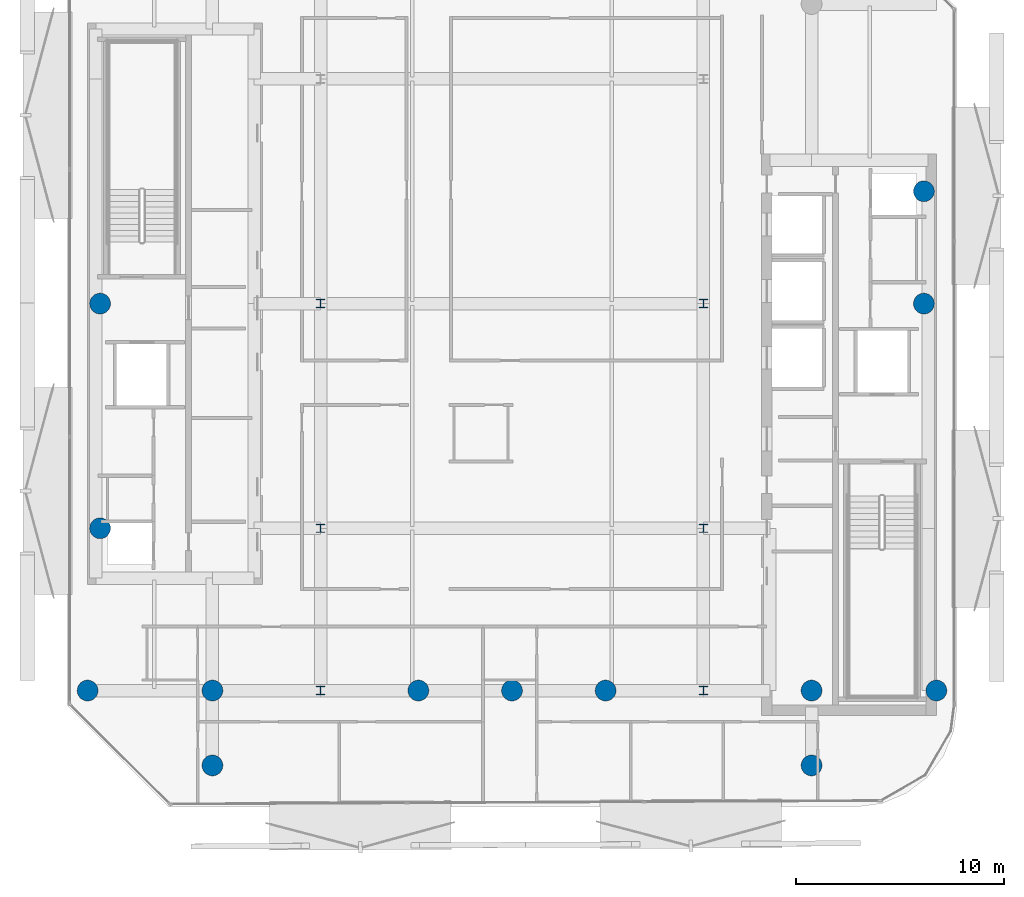
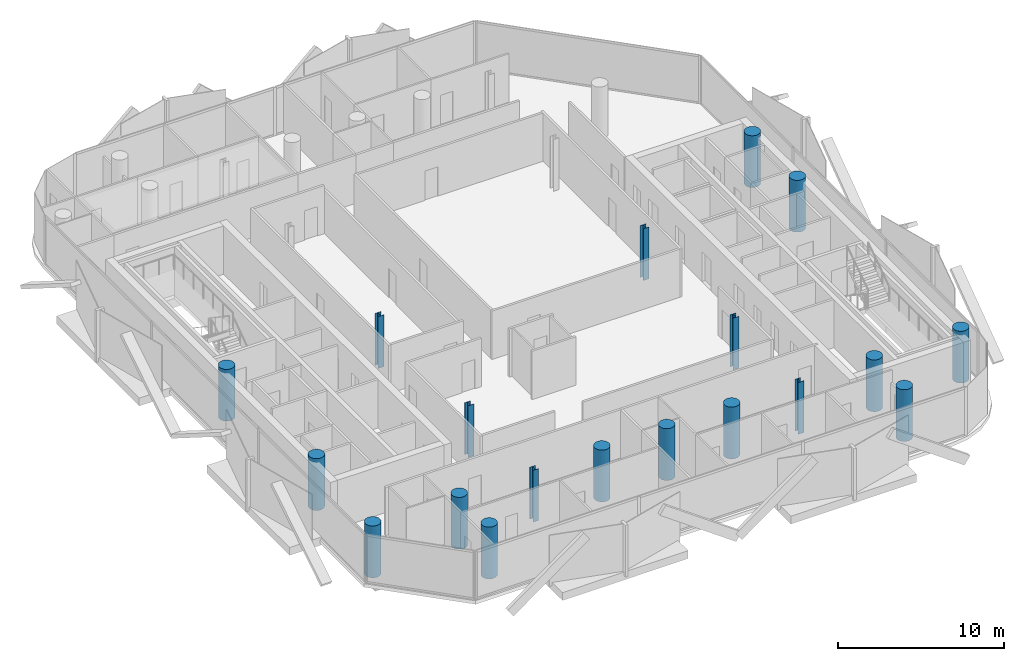
# One storey, part 1 of 16: 19 columns.
"""IFC4 building model written with IfcOpenShell, lengths in metres."""

from ifc_helpers import new_model, si_unit, direction, frame, origin, origin_2d, place, context, subcontext, project, spatial, circle, i_section, extrude, material, material_profile, profile_set, type_object, element, save


model = new_model("IFC4")

# Units and contexts
model_context = context("Model", 3, precision=1e-05, world=origin(), true_north=direction((0.0, 1.0)))
body_context = subcontext(model_context, "Body", "Model", "MODEL_VIEW")
ifc_project = project(units=[si_unit("LENGTHUNIT", "METRE"), si_unit("AREAUNIT", "SQUARE_METRE"), si_unit("VOLUMEUNIT", "CUBIC_METRE"), si_unit("PLANEANGLEUNIT", "RADIAN"), si_unit("MASSUNIT", "GRAM", prefix="KILO")], contexts=[model_context])

# Site, building, storey
site_placement = place(None, origin())
site = spatial("IfcSite", under=ifc_project, at=site_placement, CompositionType="ELEMENT")
building_placement = place(site_placement, origin())
building = spatial("IfcBuilding", under=site, at=building_placement, Name="Khairoan Windgate Tower", CompositionType="ELEMENT")
storey_placement = place(building_placement, frame((0.0, 0.0, 277.60009765625)))
storey = spatial("IfcBuildingStorey", under=building, at=storey_placement, Name="L66", CompositionType="ELEMENT", Elevation=277.60009765625)

# Columns
ifc_material_1 = material(Name="Concrete C60/75", Category="concrete")
ifc_material_profile_1 = material_profile(ifc_material_1, circle(Radius=0.5, at=origin_2d()))
ifc_profile_set_1 = profile_set([ifc_material_profile_1], Name="Concrete C60/75")
column_type_1 = type_object("IfcColumnType", Name="Column C-P1 RC-D1000", PredefinedType="COLUMN", material=ifc_profile_set_1)
for number, where, z_axis, x_axis, name in (
    (1, (-20.39990234375, -18.60009765625, 0.0), (0.0, 0.0, 1.0), (1.0, 0.0, 0.0), "Column L66-11"),
    (2, (20.39990234375, -18.60009765625, 0.0), (0.0, 0.0, 1.0), (1.0, 0.0, 0.0), "Column L66-13"),
    (3, (-14.39990234375, -18.60009765625, 0.0), (0.0, 0.0, 1.0), (1.0, 0.0, 0.0), "Column L66-14"),
    (4, (14.39990234375, -18.60009765625, 0.0), (0.0, 0.0, 1.0), (1.0, 0.0, 0.0), "Column L66-16"),
    (5, (-4.5, -18.60009765625, 0.0), (0.0, 0.0, 1.0), (1.0, 0.0, 0.0), "Column L66-18"),
    (6, (0.0, -18.60009765625, 0.0), (0.0, 0.0, 1.0), (1.0, 0.0, 0.0), "Column L66-19"),
    (7, (4.5, -18.60009765625, 0.0), (0.0, 0.0, 1.0), (1.0, 0.0, 0.0), "Column L66-20"),
    (8, (-19.800048828125, -10.800048828125, 0.0), (0.0, 0.0, 1.0), (1.0, 0.0, 0.0), "Column L66-24"),
    (9, (-19.800048828125, 0.0, 0.0), (0.0, 0.0, 1.0), (1.0, 0.0, 0.0), "Column L66-25"),
    (10, (19.800048828125, 0.0, 0.0), (0.0, 0.0, 1.0), (1.0, 0.0, 0.0), "Column L66-26"),
    (11, (19.800048828125, 5.39990234375, 0.0), (0.0, 0.0, 1.0), (1.0, 0.0, 0.0), "Column L66-27"),
    (12, (-14.39990234375, -22.199951171875, 0.0), (0.0, 0.0, 1.0), (1.0, 0.0, 0.0), "Column L66-28"),
    (13, (14.39990234375, -22.199951171875, 0.0), (0.0, 0.0, 1.0), (1.0, 0.0, 0.0), "Column L66-30"),
):
    element("IfcColumn", number, at=place(storey_placement, frame(where, z_axis=z_axis, x_axis=x_axis)), inside=storey, type_object=column_type_1, Name=name, PredefinedType="COLUMN", context=body_context, shape_type="SweptSolid", body=[
        extrude(circle(Radius=0.5, at=origin_2d()), origin(), (0.0, 0.0, 1.0), 3.7998046875),
    ])
ifc_material_2 = material(Name="Steel S355", Category="steel")
ifc_material_profile_2 = material_profile(ifc_material_2, i_section(OverallWidth=0.39990234375, OverallDepth=0.39990234375, WebThickness=0.012939453125, FlangeThickness=0.02099609375, FilletRadius=0.02197265625, at=origin_2d()))
ifc_profile_set_2 = profile_set([ifc_material_profile_2], Name="Steel S355")
column_type_2 = type_object("IfcColumnType", Name="Steel Column SC4 H400x400x13x21", PredefinedType="COLUMN", material=ifc_profile_set_2)
for number, where, z_axis, x_axis, name in (
    (14, (-9.199951171875, -18.60009765625, 0.0), (0.0, 0.0, 1.0), (1.0, 0.0, 0.0), "Column L66-01"),
    (15, (-9.199951171875, -10.800048828125, 0.0), (0.0, 0.0, 1.0), (1.0, 0.0, 0.0), "Column L66-02"),
    (16, (-9.199951171875, 0.0, 0.0), (0.0, 0.0, 1.0), (1.0, 0.0, 0.0), "Column L66-03"),
    (17, (9.199951171875, -18.60009765625, 0.0), (0.0, 0.0, 1.0), (1.0, 0.0, 0.0), "Column L66-06"),
    (18, (9.199951171875, -10.800048828125, 0.0), (0.0, 0.0, 1.0), (1.0, 0.0, 0.0), "Column L66-07"),
    (19, (9.199951171875, 0.0, 0.0), (0.0, 0.0, 1.0), (1.0, 0.0, 0.0), "Column L66-08"),
):
    element("IfcColumn", number, at=place(storey_placement, frame(where, z_axis=z_axis, x_axis=x_axis)), inside=storey, type_object=column_type_2, Name=name, PredefinedType="COLUMN", context=body_context, shape_type="SweptSolid", body=[
        extrude(i_section(OverallWidth=0.39990234375, OverallDepth=0.39990234375, WebThickness=0.012939453125, FlangeThickness=0.02099609375, FilletRadius=0.02197265625, at=origin_2d()), origin(), (0.0, 0.0, 1.0), 3.7998046875),
    ])

save(model, "model.ifc")
